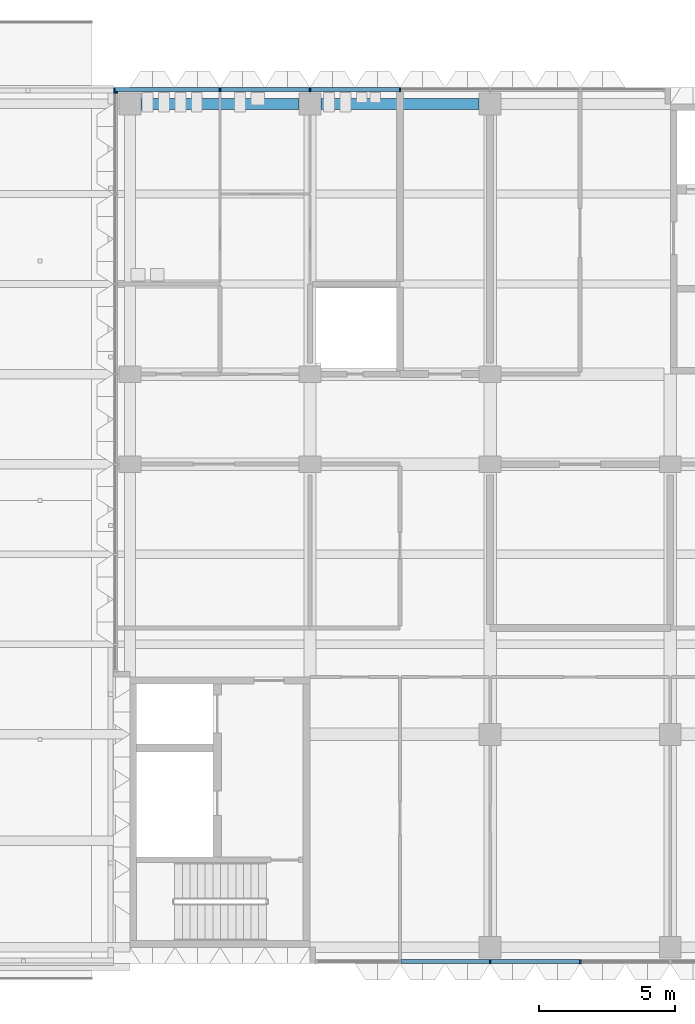
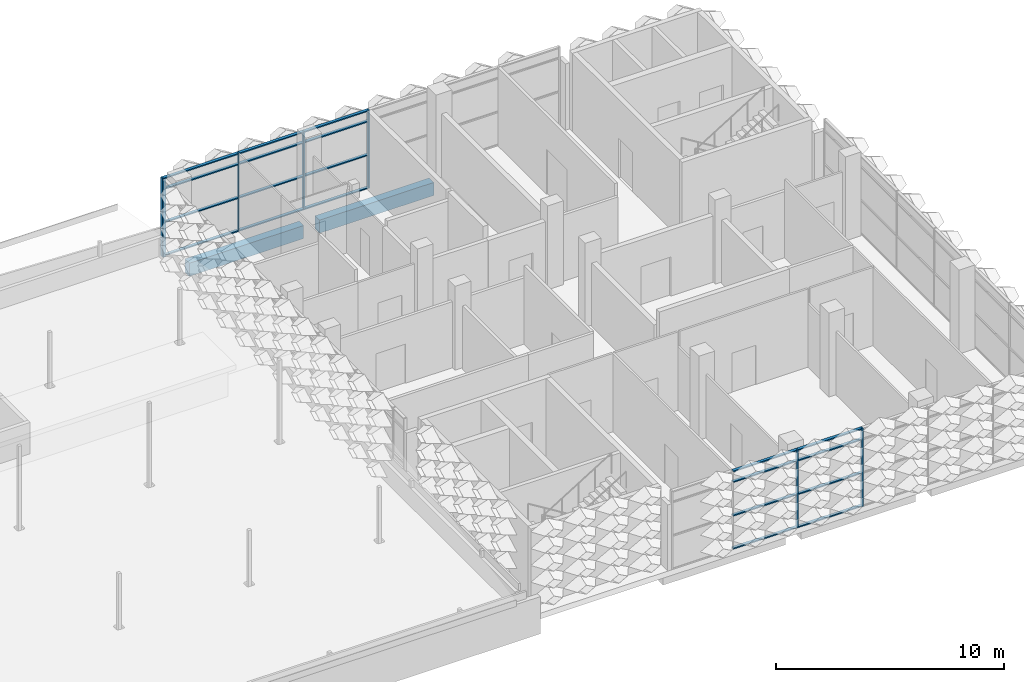
# One storey, part 6 of 39: 27 members, 2 beams, 3 elements without a shape of their own.
"""IFC4 building model written with IfcOpenShell, lengths in metres."""

import ifcopenshell
import ifcopenshell.guid

model = None  # the IFC model being written
_history = None  # IfcOwnerHistory: only IFC2X3 demands one
_inside = {}  # id of a spatial element -> (the spatial element, [elements in it])
_under = {}  # id of a project, library or spatial element -> (it, [spatial elements below it])
_declared = {}  # id of a project -> (the project, [libraries it declares])
_typed = {}  # id of a type object -> (the type object, [elements of that type])
_made_of = {}  # id of a material, layer set ... -> (it, [elements and type objects made of it])


def new_model(schema):
    """Start an empty IFC model of exactly this schema.

    Asked for "IFC4X3", IfcOpenShell would pick the latest addendum, in which some entities
    have other attributes; the version numbers below select the first issue.
    IFC2X3 requires an IfcOwnerHistory on every rooted entity: one is made here for all.
    """
    global model, _history
    if schema == "IFC4X3":
        model = ifcopenshell.file(schema_version=(4, 3, 0, 0))
    else:
        model = ifcopenshell.file(schema=schema)
    _inside.clear()
    _under.clear()
    _declared.clear()
    _typed.clear()
    _made_of.clear()
    _history = None
    if model.schema == "IFC2X3":
        org = make("IfcOrganization", Name="unknown")
        user = make(
            "IfcPersonAndOrganization",
            ThePerson=make("IfcPerson", FamilyName="unknown"),
            TheOrganization=org,
        )
        app = make(
            "IfcApplication",
            ApplicationDeveloper=org,
            Version="unknown",
            ApplicationFullName="unknown",
            ApplicationIdentifier="unknown",
        )
        _history = make(
            "IfcOwnerHistory",
            OwningUser=user,
            OwningApplication=app,
            ChangeAction="ADDED",
            CreationDate=0,
        )
    return model


def make(cls, **values):
    """One entity of the class cls with the attributes given. An attribute that is None is left unset."""
    return model.create_entity(
        cls, **{name: value for name, value in values.items() if value is not None}
    )


def rooted(cls, **values):
    """An entity with a GlobalId (a new one), such as an element, a storey or a relation."""
    return make(cls, GlobalId=ifcopenshell.guid.new(), OwnerHistory=_history, **values)


def si_unit(unit_type, name, prefix=None):
    """IfcSIUnit, for example si_unit("LENGTHUNIT", "METRE", prefix="MILLI")."""
    return make("IfcSIUnit", UnitType=unit_type, Prefix=prefix, Name=name)


def assignment(units):
    """IfcUnitAssignment: the units of a project."""
    return None if units is None else make("IfcUnitAssignment", Units=units)


def point(xyz):
    """IfcCartesianPoint."""
    return None if xyz is None else make("IfcCartesianPoint", Coordinates=xyz)


def direction(xyz):
    """IfcDirection."""
    return None if xyz is None else make("IfcDirection", DirectionRatios=xyz)


def frame(location, z_axis=None, x_axis=None):
    """IfcAxis2Placement3D, a coordinate frame: its origin and axes. An axis left out is left unset."""
    return make(
        "IfcAxis2Placement3D",
        Location=point(location),
        Axis=direction(z_axis),
        RefDirection=direction(x_axis),
    )


def frame_2d(location, x_axis=None):
    """IfcAxis2Placement2D, a coordinate frame in the plane: its origin and x axis."""
    return make(
        "IfcAxis2Placement2D", Location=point(location), RefDirection=direction(x_axis)
    )


def origin():
    """The frame at (0, 0, 0) with its axes left unset."""
    return frame((0.0, 0.0, 0.0))


def origin_2d():
    """The frame at (0, 0) in the plane with its x axis left unset."""
    return frame_2d((0.0, 0.0))


def place(relative_to, where):
    """IfcLocalPlacement: puts the frame where relative to a parent placement (None: the world)."""
    return make(
        "IfcLocalPlacement", PlacementRelTo=relative_to, RelativePlacement=where
    )


def context(
    kind, dimensions, precision=None, world=None, true_north=None, identifier=None
):
    """IfcGeometricRepresentationContext, for example the 3D "Model" context."""
    return make(
        "IfcGeometricRepresentationContext",
        ContextIdentifier=identifier,
        ContextType=kind,
        CoordinateSpaceDimension=dimensions,
        Precision=precision,
        WorldCoordinateSystem=world,
        TrueNorth=true_north,
    )


def subcontext(parent, identifier, kind, view, scale=None):
    """IfcGeometricRepresentationSubContext, for example "Body" below "Model"."""
    return make(
        "IfcGeometricRepresentationSubContext",
        ContextIdentifier=identifier,
        ContextType=kind,
        ParentContext=parent,
        TargetScale=scale,
        TargetView=view,
    )


def project(units=None, contexts=None):
    """IfcProject with its units and contexts."""
    return rooted(
        "IfcProject",
        Name="project",
        RepresentationContexts=contexts,
        UnitsInContext=assignment(units),
    )


def spatial(cls, under=None, at=None, **own):
    """A site, building, storey or space (cls), placed at a placement, below another one or the project."""
    s = rooted(cls, ObjectPlacement=at, **own)
    if under is not None:
        _under.setdefault(under.id(), (under, []))[1].append(s)
    return s


def profile(cls, at=None, kind="AREA", **sizes):
    """A parametric profile (cls). Its sizes go by their IFC names, for example OverallWidth=200.0."""
    return make(cls, ProfileType=kind, Position=at, **sizes)


def rectangle(**sizes):
    """IfcRectangleProfileDef."""
    return profile("IfcRectangleProfileDef", **sizes)


def extrude(swept, where, along, depth):
    """IfcExtrudedAreaSolid: the profile swept, set in the frame where, extruded along a direction by depth."""
    return make(
        "IfcExtrudedAreaSolid",
        SweptArea=swept,
        Position=where,
        ExtrudedDirection=direction(along),
        Depth=depth,
    )


def shape(context_of_items, identifier, shape_type, items):
    """IfcShapeRepresentation: the items that make up one representation, for example the "Body"."""
    return make(
        "IfcShapeRepresentation",
        ContextOfItems=context_of_items,
        RepresentationIdentifier=identifier,
        RepresentationType=shape_type,
        Items=items,
    )


def material(Name=None, Category=None):
    """IfcMaterial."""
    return make("IfcMaterial", Name=Name, Category=Category)


def material_profile(
    of_material, cross_section, Name=None, Category=None, Priority=None
):
    """IfcMaterialProfile: a cross section and its material."""
    return make(
        "IfcMaterialProfile",
        Name=Name,
        Material=of_material,
        Profile=cross_section,
        Priority=Priority,
        Category=Category,
    )


def profile_set(profiles, Name=None, composite=None):
    """IfcMaterialProfileSet."""
    return make(
        "IfcMaterialProfileSet",
        Name=Name,
        MaterialProfiles=profiles,
        CompositeProfile=composite,
    )


def made_of(thing, what):
    """Note that an element or type object is made of a material, layer set ...; save() writes the relation."""
    if what is not None:
        _made_of.setdefault(what.id(), (what, []))[1].append(thing)
    return thing


def type_object(cls, material=None, **own):
    """A type object (cls), such as IfcWallType, which elements share."""
    return made_of(rooted(cls, **own), material)


def element(
    cls,
    number,
    at=None,
    inside=None,
    cuts=None,
    type_object=None,
    material=None,
    context=None,
    identifier="Body",
    shape_type=None,
    held_by="IfcProductDefinitionShape",
    body=None,
    shapes=None,
    **own,
):
    """One element of the class cls, such as IfcWall. Its Tag is "e" and its number.

    at: its placement. inside: the storey or other place that contains it. cuts: it is an
    opening in that element (IfcRelVoidsElement). A single representation is given by context,
    identifier, shape_type and body (its items); several are given by shapes. held_by: the class
    of the entity that holds the representations. save() writes the other relations.
    """
    e = rooted(cls, Tag="e%d" % number, ObjectPlacement=at, **own)
    if body is not None:
        shapes = [shape(context, identifier, shape_type, body)]
    if shapes is not None:
        e.Representation = make(held_by, Representations=shapes)
    if inside is not None:
        _inside.setdefault(inside.id(), (inside, []))[1].append(e)
    if cuts is not None:
        rooted(
            "IfcRelVoidsElement", RelatingBuildingElement=cuts, RelatedOpeningElement=e
        )
    if type_object is not None:
        _typed.setdefault(type_object.id(), (type_object, []))[1].append(e)
    return made_of(e, material)


def aggregate(whole, parts):
    """IfcRelAggregates: a whole, such as a stair, and the parts it consists of."""
    return rooted("IfcRelAggregates", RelatingObject=whole, RelatedObjects=parts)


def save(model, path):
    """Write the relations noted so far, then the file.

    IfcRelAggregates (storeys below a building ...), IfcRelContainedInSpatialStructure (elements
    in a storey), IfcRelDefinesByType, IfcRelAssociatesMaterial and IfcRelDeclares: one each for
    every whole, place, type object, material and project.
    """
    for whole, parts in _under.values():
        aggregate(whole, parts)
    for where, things in _inside.values():
        rooted(
            "IfcRelContainedInSpatialStructure",
            RelatedElements=things,
            RelatingStructure=where,
        )
    for kind, things in _typed.values():
        rooted("IfcRelDefinesByType", RelatedObjects=things, RelatingType=kind)
    for what, things in _made_of.values():
        rooted("IfcRelAssociatesMaterial", RelatedObjects=things, RelatingMaterial=what)
    for by, libraries in _declared.values():
        rooted("IfcRelDeclares", RelatingContext=by, RelatedDefinitions=libraries)
    model.write(path)


model = new_model("IFC4")

# Units and contexts
model_context = context("Model", 3, precision=1e-05, world=origin(), true_north=direction((0.0, 1.0)))
body_context = subcontext(model_context, "Body", "Model", "MODEL_VIEW")
ifc_project = project(units=[si_unit("LENGTHUNIT", "METRE"), si_unit("AREAUNIT", "SQUARE_METRE"), si_unit("VOLUMEUNIT", "CUBIC_METRE"), si_unit("PLANEANGLEUNIT", "RADIAN"), si_unit("MASSUNIT", "GRAM", prefix="KILO")], contexts=[model_context])

# Site, building, storey
site_placement = place(None, origin())
site = spatial("IfcSite", under=ifc_project, at=site_placement, CompositionType="ELEMENT")
building_placement = place(site_placement, origin())
building = spatial("IfcBuilding", under=site, at=building_placement, Name="Lantern Court Research Institute", CompositionType="ELEMENT")
storey_placement = place(building_placement, frame((0.0, 0.0, 27.89990234375)))
storey = spatial("IfcBuildingStorey", under=building, at=storey_placement, Name="L06", CompositionType="ELEMENT", Elevation=27.89990234375)

# Curtain wall, members
ifc_material_1 = material(Name="Aluminium alloy 6063-T6", Category="aluminium")
curtain_wall_type_1 = type_object("IfcCurtainWallType", Name="Curtain wall 20200 x 4200 x 150 aluminium frame", PredefinedType="NOTDEFINED", material=ifc_material_1)
curtain_wall_1_placement = place(storey_placement, origin())
curtain_wall_1 = element("IfcCurtainWall", 1, at=curtain_wall_1_placement, inside=storey, type_object=curtain_wall_type_1, Name="Curtain wall CW078", PredefinedType="NOTDEFINED")
ifc_material_2 = material(Name="Aluminium alloy 6063-T6", Category="aluminium")
ifc_material_profile_1 = material_profile(ifc_material_2, rectangle(XDim=0.14990234375, YDim=0.06005859375, at=origin_2d()), Name="Mullion 150 x 60")
ifc_profile_set_1 = profile_set([ifc_material_profile_1], Name="Aluminium alloy 6063-T6")
member_type_1 = type_object("IfcMemberType", Name="Mullion 150 x 60 aluminium", PredefinedType="MULLION", material=ifc_profile_set_1)
member_1_placement = place(storey_placement, frame((52.22998046875, 23.625, 0.0), z_axis=(0.0, 0.0, 1.0), x_axis=(0.0, 1.0, 0.0)))
member_1 = element("IfcMember", 2, at=member_1_placement, type_object=member_type_1, Name="CW078 mullion 1", PredefinedType="MULLION", context=body_context, shape_type="SweptSolid", body=[
    extrude(rectangle(XDim=0.14990234375, YDim=0.06005859375, at=origin_2d()), origin(), (0.0, 0.0, 1.0), 4.2001953125),
])
member_2_placement = place(storey_placement, frame((56.10009765625, 23.625, 0.0), z_axis=(0.0, 0.0, 1.0), x_axis=(0.0, 1.0, 0.0)))
member_2 = element("IfcMember", 3, at=member_2_placement, type_object=member_type_1, Name="CW078 mullion 2", PredefinedType="MULLION", context=body_context, shape_type="SweptSolid", body=[
    extrude(rectangle(XDim=0.14990234375, YDim=0.06005859375, at=origin_2d()), origin(), (0.0, 0.0, 1.0), 4.2001953125),
])
member_3_placement = place(storey_placement, frame((59.39990234375, 23.625, 0.0), z_axis=(0.0, 0.0, 1.0), x_axis=(0.0, 1.0, 0.0)))
member_3 = element("IfcMember", 4, at=member_3_placement, type_object=member_type_1, Name="CW078 mullion 3", PredefinedType="MULLION", context=body_context, shape_type="SweptSolid", body=[
    extrude(rectangle(XDim=0.14990234375, YDim=0.06005859375, at=origin_2d()), origin(), (0.0, 0.0, 1.0), 4.2001953125),
])
member_4_placement = place(storey_placement, frame((62.699951171875, 23.625, 0.0), z_axis=(0.0, 0.0, 1.0), x_axis=(0.0, 1.0, 0.0)))
member_4 = element("IfcMember", 5, at=member_4_placement, type_object=member_type_1, Name="CW078 mullion 4", PredefinedType="MULLION", context=body_context, shape_type="SweptSolid", body=[
    extrude(rectangle(XDim=0.14990234375, YDim=0.06005859375, at=origin_2d()), origin(), (0.0, 0.0, 1.0), 4.2001953125),
])

curtain_wall_2_placement = place(storey_placement, origin())
curtain_wall_2 = element("IfcCurtainWall", 6, at=curtain_wall_2_placement, inside=storey, type_object=curtain_wall_type_1, Name="Curtain wall CW079", PredefinedType="NOTDEFINED")
member_5_placement = place(storey_placement, frame((66.0, -8.324951171875, 0.0), z_axis=(0.0, 0.0, 1.0), x_axis=(0.0, -1.0, 0.0)))
member_5 = element("IfcMember", 7, at=member_5_placement, type_object=member_type_1, Name="CW079 mullion 3", PredefinedType="MULLION", context=body_context, shape_type="SweptSolid", body=[
    extrude(rectangle(XDim=0.14990234375, YDim=0.06005859375, at=origin_2d()), origin(), (0.0, 0.0, 1.0), 4.2001953125),
])
member_6_placement = place(storey_placement, frame((69.300048828125, -8.324951171875, 0.0), z_axis=(0.0, 0.0, 1.0), x_axis=(0.0, -1.0, 0.0)))
member_6 = element("IfcMember", 8, at=member_6_placement, type_object=member_type_1, Name="CW079 mullion 4", PredefinedType="MULLION", context=body_context, shape_type="SweptSolid", body=[
    extrude(rectangle(XDim=0.14990234375, YDim=0.06005859375, at=origin_2d()), origin(), (0.0, 0.0, 1.0), 4.2001953125),
])

# Curtain wall, member
ifc_material_3 = material(Name="Aluminium alloy 6063-T6", Category="aluminium")
curtain_wall_type_2 = type_object("IfcCurtainWallType", Name="Curtain wall 21250 x 4200 x 150 aluminium frame", PredefinedType="NOTDEFINED", material=ifc_material_3)
curtain_wall_3_placement = place(storey_placement, origin())
curtain_wall_3 = element("IfcCurtainWall", 9, at=curtain_wall_3_placement, inside=storey, type_object=curtain_wall_type_2, Name="Curtain wall CW080", PredefinedType="NOTDEFINED")
member_7_placement = place(storey_placement, frame((52.27490234375, 23.52001953125, 0.0), z_axis=(0.0, 0.0, 1.0), x_axis=(-1.0, 0.0, 0.0)))
member_7 = element("IfcMember", 10, at=member_7_placement, type_object=member_type_1, Name="CW080 mullion 8", PredefinedType="MULLION", context=body_context, shape_type="SweptSolid", body=[
    extrude(rectangle(XDim=0.14990234375, YDim=0.06005859375, at=origin_2d()), origin(), (0.0, 0.0, 1.0), 4.2001953125),
])
aggregate(curtain_wall_3, [member_7])

# Beams
ifc_material_4 = material(Name="Concrete C40/50", Category="concrete")
ifc_material_profile_2 = material_profile(ifc_material_4, rectangle(XDim=0.39990234375, YDim=0.699951171875, at=origin_2d()), Name="RC beam 400 x 700")
ifc_profile_set_2 = profile_set([ifc_material_profile_2], Name="Concrete C40/50")
beam_type = type_object("IfcBeamType", Name="RC edge beam 400 x 700", PredefinedType="BEAM", material=ifc_profile_set_2)
for number, where, z_axis, x_axis, name in (
    (11, (53.199951171875, 23.10009765625, -0.64990234375), (1.0, 0.0, 0.0), (0.0, 1.0, 0.0), "Edge beam L06 grid D/9-10"),
    (12, (59.800048828125, 23.10009765625, -0.64990234375), (1.0, 0.0, 0.0), (0.0, 1.0, 0.0), "Edge beam L06 grid D/10-11"),
):
    element("IfcBeam", number, at=place(storey_placement, frame(where, z_axis=z_axis, x_axis=x_axis)), inside=storey, type_object=beam_type, Name=name, PredefinedType="BEAM", context=body_context, shape_type="SweptSolid", body=[
        extrude(rectangle(XDim=0.39990234375, YDim=0.699951171875, at=origin_2d()), origin(), (0.0, 0.0, 1.0), 5.800048828125),
    ])

# Member
ifc_material_5 = material(Name="Aluminium alloy 6063-T6", Category="aluminium")
ifc_material_profile_3 = material_profile(ifc_material_5, rectangle(XDim=0.14990234375, YDim=0.06005859375, at=origin_2d()), Name="Transom 150 x 60")
ifc_profile_set_3 = profile_set([ifc_material_profile_3], Name="Aluminium alloy 6063-T6")
member_type_2 = type_object("IfcMemberType", Name="Transom 150 x 60 aluminium", PredefinedType="USERDEFINED", material=ifc_profile_set_3)
member_8_placement = place(storey_placement, frame((52.260009765625, 23.625, 0.030029296875), z_axis=(1.0, 0.0, 0.0), x_axis=(0.0, 1.0, 0.0)))
member_8 = element("IfcMember", 13, at=member_8_placement, type_object=member_type_2, Name="CW078 transom 1.1", ObjectType="TRANSOM", PredefinedType="USERDEFINED", context=body_context, shape_type="SweptSolid", body=[
    extrude(rectangle(XDim=0.14990234375, YDim=0.06005859375, at=origin_2d()), origin(), (0.0, 0.0, 1.0), 3.81005859375),
])

member_9_placement = place(storey_placement, frame((52.260009765625, 23.625, 1.800048828125), z_axis=(1.0, 0.0, 0.0), x_axis=(0.0, 1.0, 0.0)))
member_9 = element("IfcMember", 14, at=member_9_placement, type_object=member_type_2, Name="CW078 transom 1.2", ObjectType="TRANSOM", PredefinedType="USERDEFINED", context=body_context, shape_type="SweptSolid", body=[
    extrude(rectangle(XDim=0.14990234375, YDim=0.06005859375, at=origin_2d()), origin(), (0.0, 0.0, 1.0), 3.81005859375),
])

member_10_placement = place(storey_placement, frame((52.260009765625, 23.625, 3.60009765625), z_axis=(1.0, 0.0, 0.0), x_axis=(0.0, 1.0, 0.0)))
member_10 = element("IfcMember", 15, at=member_10_placement, type_object=member_type_2, Name="CW078 transom 1.3", ObjectType="TRANSOM", PredefinedType="USERDEFINED", context=body_context, shape_type="SweptSolid", body=[
    extrude(rectangle(XDim=0.14990234375, YDim=0.06005859375, at=origin_2d()), origin(), (0.0, 0.0, 1.0), 3.81005859375),
])

member_11_placement = place(storey_placement, frame((52.260009765625, 23.625, 4.170166015625), z_axis=(1.0, 0.0, 0.0), x_axis=(0.0, 1.0, 0.0)))
member_11 = element("IfcMember", 16, at=member_11_placement, type_object=member_type_2, Name="CW078 transom 1.4", ObjectType="TRANSOM", PredefinedType="USERDEFINED", context=body_context, shape_type="SweptSolid", body=[
    extrude(rectangle(XDim=0.14990234375, YDim=0.06005859375, at=origin_2d()), origin(), (0.0, 0.0, 1.0), 3.81005859375),
])

member_12_placement = place(storey_placement, frame((56.1298828125, 23.625, 0.030029296875), z_axis=(1.0, 0.0, 0.0), x_axis=(0.0, 1.0, 0.0)))
member_12 = element("IfcMember", 17, at=member_12_placement, type_object=member_type_2, Name="CW078 transom 2.1", ObjectType="TRANSOM", PredefinedType="USERDEFINED", context=body_context, shape_type="SweptSolid", body=[
    extrude(rectangle(XDim=0.14990234375, YDim=0.06005859375, at=origin_2d()), origin(), (0.0, 0.0, 1.0), 3.240234375),
])

member_13_placement = place(storey_placement, frame((56.1298828125, 23.625, 1.800048828125), z_axis=(1.0, 0.0, 0.0), x_axis=(0.0, 1.0, 0.0)))
member_13 = element("IfcMember", 18, at=member_13_placement, type_object=member_type_2, Name="CW078 transom 2.2", ObjectType="TRANSOM", PredefinedType="USERDEFINED", context=body_context, shape_type="SweptSolid", body=[
    extrude(rectangle(XDim=0.14990234375, YDim=0.06005859375, at=origin_2d()), origin(), (0.0, 0.0, 1.0), 3.240234375),
])

member_14_placement = place(storey_placement, frame((56.1298828125, 23.625, 3.60009765625), z_axis=(1.0, 0.0, 0.0), x_axis=(0.0, 1.0, 0.0)))
member_14 = element("IfcMember", 19, at=member_14_placement, type_object=member_type_2, Name="CW078 transom 2.3", ObjectType="TRANSOM", PredefinedType="USERDEFINED", context=body_context, shape_type="SweptSolid", body=[
    extrude(rectangle(XDim=0.14990234375, YDim=0.06005859375, at=origin_2d()), origin(), (0.0, 0.0, 1.0), 3.240234375),
])

member_15_placement = place(storey_placement, frame((56.1298828125, 23.625, 4.170166015625), z_axis=(1.0, 0.0, 0.0), x_axis=(0.0, 1.0, 0.0)))
member_15 = element("IfcMember", 20, at=member_15_placement, type_object=member_type_2, Name="CW078 transom 2.4", ObjectType="TRANSOM", PredefinedType="USERDEFINED", context=body_context, shape_type="SweptSolid", body=[
    extrude(rectangle(XDim=0.14990234375, YDim=0.06005859375, at=origin_2d()), origin(), (0.0, 0.0, 1.0), 3.240234375),
])

member_16_placement = place(storey_placement, frame((59.429931640625, 23.625, 0.030029296875), z_axis=(1.0, 0.0, 0.0), x_axis=(0.0, 1.0, 0.0)))
member_16 = element("IfcMember", 21, at=member_16_placement, type_object=member_type_2, Name="CW078 transom 3.1", ObjectType="TRANSOM", PredefinedType="USERDEFINED", context=body_context, shape_type="SweptSolid", body=[
    extrude(rectangle(XDim=0.14990234375, YDim=0.06005859375, at=origin_2d()), origin(), (0.0, 0.0, 1.0), 3.239990234375),
])

member_17_placement = place(storey_placement, frame((59.429931640625, 23.625, 1.800048828125), z_axis=(1.0, 0.0, 0.0), x_axis=(0.0, 1.0, 0.0)))
member_17 = element("IfcMember", 22, at=member_17_placement, type_object=member_type_2, Name="CW078 transom 3.2", ObjectType="TRANSOM", PredefinedType="USERDEFINED", context=body_context, shape_type="SweptSolid", body=[
    extrude(rectangle(XDim=0.14990234375, YDim=0.06005859375, at=origin_2d()), origin(), (0.0, 0.0, 1.0), 3.239990234375),
])

member_18_placement = place(storey_placement, frame((59.429931640625, 23.625, 3.60009765625), z_axis=(1.0, 0.0, 0.0), x_axis=(0.0, 1.0, 0.0)))
member_18 = element("IfcMember", 23, at=member_18_placement, type_object=member_type_2, Name="CW078 transom 3.3", ObjectType="TRANSOM", PredefinedType="USERDEFINED", context=body_context, shape_type="SweptSolid", body=[
    extrude(rectangle(XDim=0.14990234375, YDim=0.06005859375, at=origin_2d()), origin(), (0.0, 0.0, 1.0), 3.239990234375),
])

member_19_placement = place(storey_placement, frame((59.429931640625, 23.625, 4.170166015625), z_axis=(1.0, 0.0, 0.0), x_axis=(0.0, 1.0, 0.0)))
member_19 = element("IfcMember", 24, at=member_19_placement, type_object=member_type_2, Name="CW078 transom 3.4", ObjectType="TRANSOM", PredefinedType="USERDEFINED", context=body_context, shape_type="SweptSolid", body=[
    extrude(rectangle(XDim=0.14990234375, YDim=0.06005859375, at=origin_2d()), origin(), (0.0, 0.0, 1.0), 3.239990234375),
])

aggregate(curtain_wall_1, [member_1, member_2, member_3, member_4, member_8, member_9, member_10, member_11, member_12, member_13, member_14, member_15, member_16, member_17, member_18, member_19])

member_20_placement = place(storey_placement, frame((65.969970703125, -8.324951171875, 0.030029296875), z_axis=(-1.0, 0.0, 0.0), x_axis=(0.0, -1.0, 0.0)))
member_20 = element("IfcMember", 25, at=member_20_placement, type_object=member_type_2, Name="CW079 transom 2.1", ObjectType="TRANSOM", PredefinedType="USERDEFINED", context=body_context, shape_type="SweptSolid", body=[
    extrude(rectangle(XDim=0.14990234375, YDim=0.06005859375, at=origin_2d()), origin(), (0.0, 0.0, 1.0), 3.239990234375),
])

member_21_placement = place(storey_placement, frame((65.969970703125, -8.324951171875, 1.800048828125), z_axis=(-1.0, 0.0, 0.0), x_axis=(0.0, -1.0, 0.0)))
member_21 = element("IfcMember", 26, at=member_21_placement, type_object=member_type_2, Name="CW079 transom 2.2", ObjectType="TRANSOM", PredefinedType="USERDEFINED", context=body_context, shape_type="SweptSolid", body=[
    extrude(rectangle(XDim=0.14990234375, YDim=0.06005859375, at=origin_2d()), origin(), (0.0, 0.0, 1.0), 3.239990234375),
])

member_22_placement = place(storey_placement, frame((65.969970703125, -8.324951171875, 3.60009765625), z_axis=(-1.0, 0.0, 0.0), x_axis=(0.0, -1.0, 0.0)))
member_22 = element("IfcMember", 27, at=member_22_placement, type_object=member_type_2, Name="CW079 transom 2.3", ObjectType="TRANSOM", PredefinedType="USERDEFINED", context=body_context, shape_type="SweptSolid", body=[
    extrude(rectangle(XDim=0.14990234375, YDim=0.06005859375, at=origin_2d()), origin(), (0.0, 0.0, 1.0), 3.239990234375),
])

member_23_placement = place(storey_placement, frame((65.969970703125, -8.324951171875, 4.170166015625), z_axis=(-1.0, 0.0, 0.0), x_axis=(0.0, -1.0, 0.0)))
member_23 = element("IfcMember", 28, at=member_23_placement, type_object=member_type_2, Name="CW079 transom 2.4", ObjectType="TRANSOM", PredefinedType="USERDEFINED", context=body_context, shape_type="SweptSolid", body=[
    extrude(rectangle(XDim=0.14990234375, YDim=0.06005859375, at=origin_2d()), origin(), (0.0, 0.0, 1.0), 3.239990234375),
])

member_24_placement = place(storey_placement, frame((69.27001953125, -8.324951171875, 0.030029296875), z_axis=(-1.0, 0.0, 0.0), x_axis=(0.0, -1.0, 0.0)))
member_24 = element("IfcMember", 29, at=member_24_placement, type_object=member_type_2, Name="CW079 transom 3.1", ObjectType="TRANSOM", PredefinedType="USERDEFINED", context=body_context, shape_type="SweptSolid", body=[
    extrude(rectangle(XDim=0.14990234375, YDim=0.06005859375, at=origin_2d()), origin(), (0.0, 0.0, 1.0), 3.239990234375),
])

member_25_placement = place(storey_placement, frame((69.27001953125, -8.324951171875, 1.800048828125), z_axis=(-1.0, 0.0, 0.0), x_axis=(0.0, -1.0, 0.0)))
member_25 = element("IfcMember", 30, at=member_25_placement, type_object=member_type_2, Name="CW079 transom 3.2", ObjectType="TRANSOM", PredefinedType="USERDEFINED", context=body_context, shape_type="SweptSolid", body=[
    extrude(rectangle(XDim=0.14990234375, YDim=0.06005859375, at=origin_2d()), origin(), (0.0, 0.0, 1.0), 3.239990234375),
])

member_26_placement = place(storey_placement, frame((69.27001953125, -8.324951171875, 3.60009765625), z_axis=(-1.0, 0.0, 0.0), x_axis=(0.0, -1.0, 0.0)))
member_26 = element("IfcMember", 31, at=member_26_placement, type_object=member_type_2, Name="CW079 transom 3.3", ObjectType="TRANSOM", PredefinedType="USERDEFINED", context=body_context, shape_type="SweptSolid", body=[
    extrude(rectangle(XDim=0.14990234375, YDim=0.06005859375, at=origin_2d()), origin(), (0.0, 0.0, 1.0), 3.239990234375),
])

member_27_placement = place(storey_placement, frame((69.27001953125, -8.324951171875, 4.170166015625), z_axis=(-1.0, 0.0, 0.0), x_axis=(0.0, -1.0, 0.0)))
member_27 = element("IfcMember", 32, at=member_27_placement, type_object=member_type_2, Name="CW079 transom 3.4", ObjectType="TRANSOM", PredefinedType="USERDEFINED", context=body_context, shape_type="SweptSolid", body=[
    extrude(rectangle(XDim=0.14990234375, YDim=0.06005859375, at=origin_2d()), origin(), (0.0, 0.0, 1.0), 3.239990234375),
])

aggregate(curtain_wall_2, [member_5, member_6, member_20, member_21, member_22, member_23, member_24, member_25, member_26, member_27])

save(model, "model.ifc")
